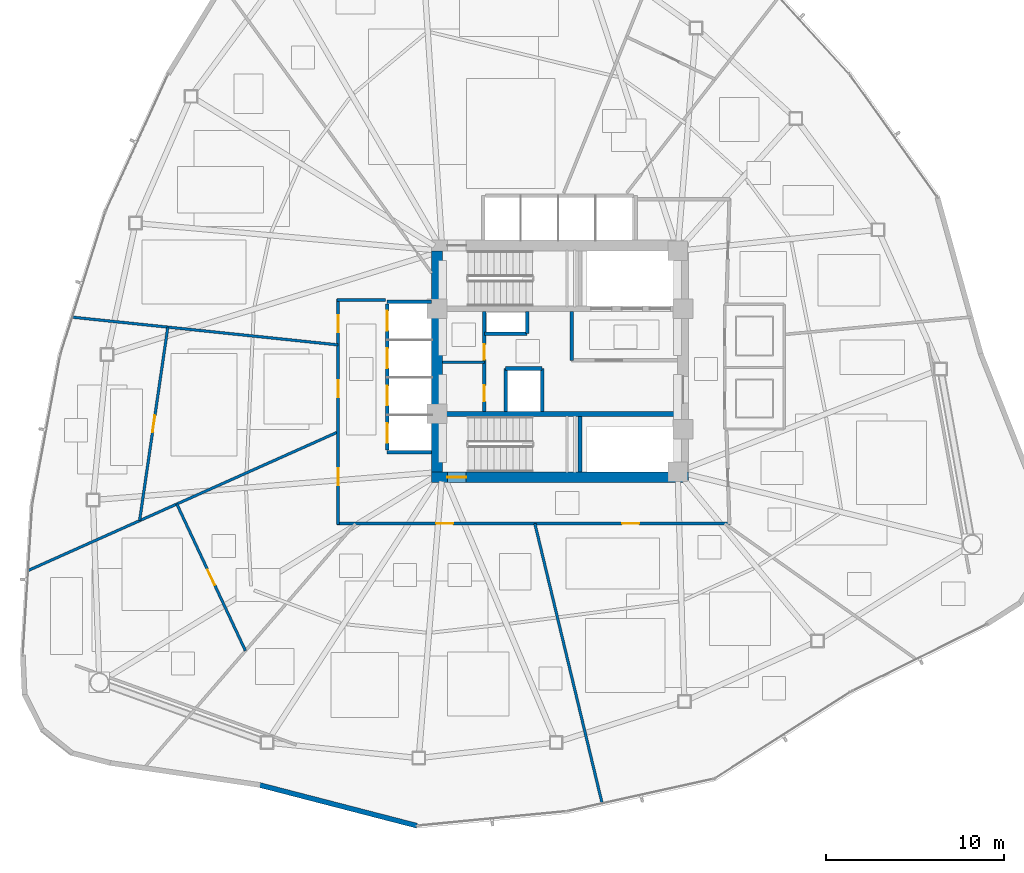
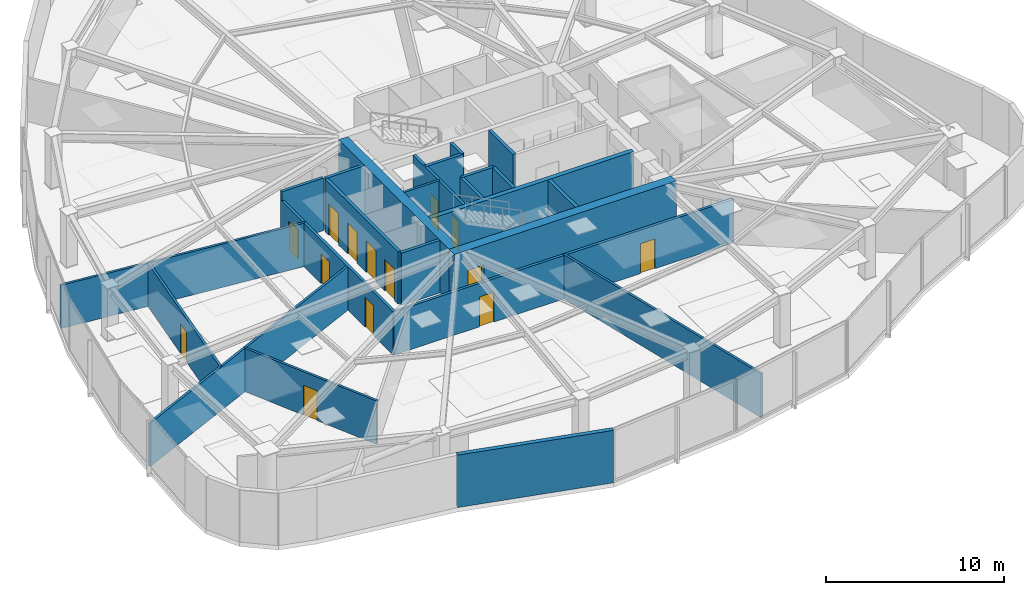
# One storey, part 12 of 18: 24 walls, 14 doors, 14 openings.
"""IFC4 building model written with IfcOpenShell, lengths in metres."""

from ifc_helpers import new_model, si_unit, direction, frame, frame_2d, origin, place, context, subcontext, project, spatial, rectangle, extrude, material, layer, layer_set, type_object, element, fill, save


model = new_model("IFC4")

# Units and contexts
model_context = context("Model", 3, precision=1e-05, world=origin(), true_north=direction((0.0, 1.0)))
body_context = subcontext(model_context, "Body", "Model", "MODEL_VIEW")
ifc_project = project(units=[si_unit("LENGTHUNIT", "METRE"), si_unit("AREAUNIT", "SQUARE_METRE"), si_unit("VOLUMEUNIT", "CUBIC_METRE"), si_unit("PLANEANGLEUNIT", "RADIAN"), si_unit("MASSUNIT", "GRAM", prefix="KILO")], contexts=[model_context])

# Site, building, storey
site_placement = place(None, origin())
site = spatial("IfcSite", under=ifc_project, at=site_placement, CompositionType="ELEMENT")
building_placement = place(site_placement, origin())
building = spatial("IfcBuilding", under=site, at=building_placement, Name="Tavelor Broadcast Tower", CompositionType="ELEMENT")
storey_placement = place(building_placement, frame((0.0, 0.0, 62.699951171875)))
storey = spatial("IfcBuildingStorey", under=building, at=storey_placement, Name="L14", CompositionType="ELEMENT", Elevation=62.699951171875)

# Wall, opening, door
ifc_material_1 = material(Name="Concrete C60/75", Category="concrete")
ifc_layer_1 = layer(ifc_material_1, 0.60009765625)
ifc_layer_set_1 = layer_set([ifc_layer_1], Name="Concrete C60/75")
wall_type_1 = type_object("IfcWallType", Name="Core Shear Wall 600 mm", PredefinedType="SHEAR", material=ifc_layer_set_1)
wall_1_placement = place(storey_placement, frame((42.800048828125, 38.5, 0.0), z_axis=(0.0, 0.0, 1.0), x_axis=(1.0, 0.0, 0.0)))
wall_1 = element("IfcWall", 1, at=wall_1_placement, inside=storey, type_object=wall_type_1, Name="L14 Central Core Shear Wall S", PredefinedType="SHEAR", context=body_context, shape_type="SweptSolid", body=[
    extrude(rectangle(XDim=14.39990234375, YDim=0.60009765625, at=frame_2d((7.199951171875, 0.0))), origin(), (0.0, 0.0, 1.0), 3.60009765625),
])
opening_1_placement = place(wall_1_placement, frame((0.8798828125, 0.0, 0.0)))
opening_1 = element("IfcOpeningElement", 2, at=opening_1_placement, cuts=wall_1, Name="Opening DR11", PredefinedType="OPENING", context=body_context, shape_type="SweptSolid", body=[
    extrude(rectangle(XDim=1.050048828125, YDim=2.199951171875, at=frame_2d((0.52490234375, 1.10009765625))), frame((0.0, 0.31005859375, 0.0), z_axis=(0.0, -1.0, 0.0), x_axis=(1.0, 0.0, 0.0)), (0.0, 0.0, 1.0), 0.6201171875),
])
ifc_material_2 = material(Name="Steel S355", Category="steel")
door_type_1 = type_object("IfcDoorType", Name="Stair Core Fire Escape Door 1050x2200", OperationType="NOTDEFINED", PredefinedType="DOOR", material=ifc_material_2)
door_1_placement = place(opening_1_placement, origin())
door_1 = element("IfcDoor", 3, at=door_1_placement, inside=storey, type_object=door_type_1, Name="L14 Stair ST2 Protected Exit Door", OperationType="SINGLE_SWING_RIGHT", OverallHeight=2.199951171875, OverallWidth=1.050048828125, PredefinedType="DOOR", context=body_context, shape_type="SweptSolid", body=[
    extrude(rectangle(XDim=1.050048828125, YDim=2.199951171875, at=frame_2d((0.52490234375, 1.10009765625))), frame((0.0, 0.02490234375, 0.0), z_axis=(0.0, -1.0, 0.0), x_axis=(1.0, 0.0, 0.0)), (0.0, 0.0, 1.0), 0.050048828125),
])
fill(opening_1, door_1)

# Walls
wall_2_placement = place(storey_placement, frame((43.10009765625, 38.800048828125, 0.0), z_axis=(0.0, 0.0, 1.0), x_axis=(0.0, 1.0, 0.0)))
element("IfcWall", 4, at=wall_2_placement, inside=storey, type_object=wall_type_1, Name="L14 Central Core Shear Wall W", PredefinedType="SHEAR", context=body_context, shape_type="SweptSolid", body=[
    extrude(rectangle(XDim=12.39990234375, YDim=0.60009765625, at=frame_2d((6.199951171875, 0.0))), origin(), (0.0, 0.0, 1.0), 3.60009765625),
])
ifc_layer_2 = layer(ifc_material_1, 0.300048828125)
ifc_layer_set_2 = layer_set([ifc_layer_2], Name="Concrete C60/75")
wall_type_2 = type_object("IfcWallType", Name="Core Spine Shear Wall 300 mm C60", PredefinedType="SHEAR", material=ifc_layer_set_2)
wall_3_placement = place(storey_placement, frame((43.39990234375, 42.050048828125, 0.0), z_axis=(0.0, 0.0, 1.0), x_axis=(1.0, 0.0, 0.0)))
element("IfcWall", 5, at=wall_3_placement, inside=storey, type_object=wall_type_2, Name="L14 Central Core Shear Wall SP2", PredefinedType="SHEAR", context=body_context, shape_type="SweptSolid", body=[
    extrude(rectangle(XDim=13.2001953125, YDim=0.300048828125, at=frame_2d((6.60009765625, 0.0))), origin(), (0.0, 0.0, 1.0), 3.60009765625),
])

# Wall, openings, doors
ifc_material_3 = material(Name="Calcium Silicate Fire Board 180 mm", Category="gypsum")
ifc_layer_3 = layer(ifc_material_3, 0.179931640625)
ifc_layer_set_3 = layer_set([ifc_layer_3], Name="Calcium Silicate Fire Board 180 mm")
wall_type_3 = type_object("IfcWallType", Name="Fire-Rated Corridor Partition Wall 180 mm", PredefinedType="PARTITIONING", material=ifc_layer_set_3)
wall_4_placement = place(storey_placement, frame((45.75, 42.199951171875, 0.0), z_axis=(0.0, 0.0, 1.0), x_axis=(0.0, 1.0, 0.0)))
wall_4 = element("IfcWall", 6, at=wall_4_placement, inside=storey, type_object=wall_type_3, Name="L14 Core West Service East Wall", PredefinedType="PARTITIONING", context=body_context, shape_type="SweptSolid", body=[
    extrude(rectangle(XDim=5.60009765625, YDim=0.179931640625, at=frame_2d((2.800048828125, 0.0))), origin(), (0.0, 0.0, 1.0), 3.60009765625),
])
opening_2_placement = place(wall_4_placement, frame((0.550048828125, 0.0, 0.0)))
opening_2 = element("IfcOpeningElement", 7, at=opening_2_placement, cuts=wall_4, Name="Opening DR32", PredefinedType="OPENING", context=body_context, shape_type="SweptSolid", body=[
    extrude(rectangle(XDim=0.89990234375, YDim=2.050048828125, at=frame_2d((0.449951171875, 1.02490234375))), frame((0.0, 0.10009765625, 0.0), z_axis=(0.0, -1.0, 0.0), x_axis=(1.0, 0.0, 0.0)), (0.0, 0.0, 1.0), 0.199951171875),
])
opening_3_placement = place(wall_4_placement, frame((2.89990234375, 0.0, 0.0)))
opening_3 = element("IfcOpeningElement", 8, at=opening_3_placement, cuts=wall_4, Name="Opening DR36", PredefinedType="OPENING", context=body_context, shape_type="SweptSolid", body=[
    extrude(rectangle(XDim=0.85009765625, YDim=2.050048828125, at=frame_2d((0.425048828125, 1.02490234375))), frame((0.0, 0.10009765625, 0.0), z_axis=(0.0, -1.0, 0.0), x_axis=(1.0, 0.0, 0.0)), (0.0, 0.0, 1.0), 0.199951171875),
])
ifc_material_4 = material(Name="Timber Solid Core Hardwood", Category="wood")
door_type_2 = type_object("IfcDoorType", Name="Accessible Washroom Door 900x2050", OperationType="NOTDEFINED", PredefinedType="DOOR", material=ifc_material_4)
door_2_placement = place(opening_2_placement, origin())
door_2 = element("IfcDoor", 9, at=door_2_placement, inside=storey, type_object=door_type_2, Name="L14 Core Accessible WC Door", OperationType="SINGLE_SWING_LEFT", OverallHeight=2.050048828125, OverallWidth=0.89990234375, PredefinedType="DOOR", context=body_context, shape_type="SweptSolid", body=[
    extrude(rectangle(XDim=0.89990234375, YDim=2.050048828125, at=frame_2d((0.449951171875, 1.02490234375))), frame((0.0, 0.02490234375, 0.0), z_axis=(0.0, -1.0, 0.0), x_axis=(1.0, 0.0, 0.0)), (0.0, 0.0, 1.0), 0.050048828125),
])
fill(opening_2, door_2)
door_type_3 = type_object("IfcDoorType", Name="Service Room Fire Door 850x2050", OperationType="NOTDEFINED", PredefinedType="DOOR", material=ifc_material_2)
door_3_placement = place(opening_3_placement, origin())
door_3 = element("IfcDoor", 10, at=door_3_placement, inside=storey, type_object=door_type_3, Name="L14 Core Cleaner Store Door", OperationType="SINGLE_SWING_RIGHT", OverallHeight=2.050048828125, OverallWidth=0.85009765625, PredefinedType="DOOR", context=body_context, shape_type="SweptSolid", body=[
    extrude(rectangle(XDim=0.85009765625, YDim=2.050048828125, at=frame_2d((0.425048828125, 1.02490234375))), frame((0.0, 0.02490234375, 0.0), z_axis=(0.0, -1.0, 0.0), x_axis=(1.0, 0.0, 0.0)), (0.0, 0.0, 1.0), 0.050048828125),
])
fill(opening_3, door_3)

wall_5_placement = place(storey_placement, frame((59.550048828125, 35.89990234375, 0.0), z_axis=(0.0, 0.0, 1.0), x_axis=(-1.0, 0.0, 0.0)))
wall_5 = element("IfcWall", 11, at=wall_5_placement, inside=storey, type_object=wall_type_3, Name="L14 Corridor Compartment Wall 04", PredefinedType="PARTITIONING", context=body_context, shape_type="SweptSolid", body=[
    extrude(rectangle(XDim=22.050048828125, YDim=0.179931640625, at=frame_2d((11.02490234375, 0.0))), origin(), (0.0, 0.0, 1.0), 2.97509765625),
])
opening_4_placement = place(wall_5_placement, frame((5.110107421875, 0.0, 0.0)))
opening_4 = element("IfcOpeningElement", 12, at=opening_4_placement, cuts=wall_5, Name="Opening DR18", PredefinedType="OPENING", context=body_context, shape_type="SweptSolid", body=[
    extrude(rectangle(XDim=0.949951171875, YDim=2.050048828125, at=frame_2d((0.47509765625, 1.02490234375))), frame((0.0, 0.10009765625, 0.0), z_axis=(0.0, -1.0, 0.0), x_axis=(1.0, 0.0, 0.0)), (0.0, 0.0, 1.0), 0.199951171875),
])
opening_5_placement = place(wall_5_placement, frame((15.549560546875, 0.0, 0.0)))
opening_5 = element("IfcOpeningElement", 13, at=opening_5_placement, cuts=wall_5, Name="Opening DR18", PredefinedType="OPENING", context=body_context, shape_type="SweptSolid", body=[
    extrude(rectangle(XDim=0.949951171875, YDim=2.050048828125, at=frame_2d((0.47509765625, 1.02490234375))), frame((0.0, 0.10009765625, 0.0), z_axis=(0.0, -1.0, 0.0), x_axis=(1.0, 0.0, 0.0)), (0.0, 0.0, 1.0), 0.199951171875),
])
door_type_4 = type_object("IfcDoorType", Name="Corridor Rated Compartment Door 950x2050", OperationType="NOTDEFINED", PredefinedType="DOOR", material=ifc_material_4)
door_4_placement = place(opening_4_placement, origin())
door_4 = element("IfcDoor", 14, at=door_4_placement, inside=storey, type_object=door_type_4, Name="L14 Digital Publishing Workspace Door R8", OperationType="SINGLE_SWING_LEFT", OverallHeight=2.050048828125, OverallWidth=0.949951171875, PredefinedType="DOOR", context=body_context, shape_type="SweptSolid", body=[
    extrude(rectangle(XDim=0.949951171875, YDim=2.050048828125, at=frame_2d((0.47509765625, 1.02490234375))), frame((0.0, 0.02490234375, 0.0), z_axis=(0.0, -1.0, 0.0), x_axis=(1.0, 0.0, 0.0)), (0.0, 0.0, 1.0), 0.050048828125),
])
fill(opening_4, door_4)
door_5_placement = place(opening_5_placement, origin())
door_5 = element("IfcDoor", 15, at=door_5_placement, inside=storey, type_object=door_type_4, Name="L14 Wellness Quiet Room Door R0", OperationType="SINGLE_SWING_RIGHT", OverallHeight=2.050048828125, OverallWidth=0.949951171875, PredefinedType="DOOR", context=body_context, shape_type="SweptSolid", body=[
    extrude(rectangle(XDim=0.949951171875, YDim=2.050048828125, at=frame_2d((0.47509765625, 1.02490234375))), frame((0.0, 0.02490234375, 0.0), z_axis=(0.0, -1.0, 0.0), x_axis=(1.0, 0.0, 0.0)), (0.0, 0.0, 1.0), 0.050048828125),
])
fill(opening_5, door_5)

wall_6_placement = place(storey_placement, frame((37.550048828125, 35.85009765625, 0.0), z_axis=(0.0, 0.0, 1.0), x_axis=(0.0, 1.0, 0.0)))
wall_6 = element("IfcWall", 16, at=wall_6_placement, inside=storey, type_object=wall_type_3, Name="L14 Corridor Compartment Wall 05", PredefinedType="PARTITIONING", context=body_context, shape_type="SweptSolid", body=[
    extrude(rectangle(XDim=12.64990234375, YDim=0.179931640625, at=frame_2d((6.324951171875, 0.0))), origin(), (0.0, 0.0, 1.0), 2.97509765625),
])
opening_6_placement = place(wall_6_placement, frame((2.210693359375, 0.0, 0.0)))
opening_6 = element("IfcOpeningElement", 17, at=opening_6_placement, cuts=wall_6, Name="Opening DR18", PredefinedType="OPENING", context=body_context, shape_type="SweptSolid", body=[
    extrude(rectangle(XDim=0.949951171875, YDim=2.050048828125, at=frame_2d((0.47509765625, 1.02490234375))), frame((0.0, 0.10009765625, 0.0), z_axis=(0.0, -1.0, 0.0), x_axis=(1.0, 0.0, 0.0)), (0.0, 0.0, 1.0), 0.199951171875),
])
opening_7_placement = place(wall_6_placement, frame((7.143310546875, 0.0, 0.0)))
opening_7 = element("IfcOpeningElement", 18, at=opening_7_placement, cuts=wall_6, Name="Opening DR18", PredefinedType="OPENING", context=body_context, shape_type="SweptSolid", body=[
    extrude(rectangle(XDim=0.949951171875, YDim=2.050048828125, at=frame_2d((0.47509765625, 1.02490234375))), frame((0.0, 0.10009765625, 0.0), z_axis=(0.0, -1.0, 0.0), x_axis=(1.0, 0.0, 0.0)), (0.0, 0.0, 1.0), 0.199951171875),
])
opening_8_placement = place(wall_6_placement, frame((10.7744140625, 0.0, 0.0)))
opening_8 = element("IfcOpeningElement", 19, at=opening_8_placement, cuts=wall_6, Name="Opening DR18", PredefinedType="OPENING", context=body_context, shape_type="SweptSolid", body=[
    extrude(rectangle(XDim=0.949951171875, YDim=2.050048828125, at=frame_2d((0.47509765625, 1.02490234375))), frame((0.0, 0.10009765625, 0.0), z_axis=(0.0, -1.0, 0.0), x_axis=(1.0, 0.0, 0.0)), (0.0, 0.0, 1.0), 0.199951171875),
])
door_6_placement = place(opening_6_placement, origin())
door_6 = element("IfcDoor", 20, at=door_6_placement, inside=storey, type_object=door_type_4, Name="L14 Press Concierge Desk Door R10", OperationType="SINGLE_SWING_LEFT", OverallHeight=2.050048828125, OverallWidth=0.949951171875, PredefinedType="DOOR", context=body_context, shape_type="SweptSolid", body=[
    extrude(rectangle(XDim=0.949951171875, YDim=2.050048828125, at=frame_2d((0.47509765625, 1.02490234375))), frame((0.0, 0.02490234375, 0.0), z_axis=(0.0, -1.0, 0.0), x_axis=(1.0, 0.0, 0.0)), (0.0, 0.0, 1.0), 0.050048828125),
])
fill(opening_6, door_6)
door_7_placement = place(opening_7_placement, origin())
door_7 = element("IfcDoor", 21, at=door_7_placement, inside=storey, type_object=door_type_4, Name="L14 Executive Reading Study Door R11", OperationType="SINGLE_SWING_RIGHT", OverallHeight=2.050048828125, OverallWidth=0.949951171875, PredefinedType="DOOR", context=body_context, shape_type="SweptSolid", body=[
    extrude(rectangle(XDim=0.949951171875, YDim=2.050048828125, at=frame_2d((0.47509765625, 1.02490234375))), frame((0.0, 0.02490234375, 0.0), z_axis=(0.0, -1.0, 0.0), x_axis=(1.0, 0.0, 0.0)), (0.0, 0.0, 1.0), 0.050048828125),
])
fill(opening_7, door_7)
door_8_placement = place(opening_8_placement, origin())
door_8 = element("IfcDoor", 22, at=door_8_placement, inside=storey, type_object=door_type_4, Name="L14 Music Mixing Workshop Door R3", OperationType="SINGLE_SWING_LEFT", OverallHeight=2.050048828125, OverallWidth=0.949951171875, PredefinedType="DOOR", context=body_context, shape_type="SweptSolid", body=[
    extrude(rectangle(XDim=0.949951171875, YDim=2.050048828125, at=frame_2d((0.47509765625, 1.02490234375))), frame((0.0, 0.02490234375, 0.0), z_axis=(0.0, -1.0, 0.0), x_axis=(1.0, 0.0, 0.0)), (0.0, 0.0, 1.0), 0.050048828125),
])
fill(opening_8, door_8)

# Walls
wall_7_placement = place(storey_placement, frame((37.5, 48.449951171875, 0.0), z_axis=(0.0, 0.0, 1.0), x_axis=(1.0, 0.0, 0.0)))
element("IfcWall", 23, at=wall_7_placement, inside=storey, type_object=wall_type_3, Name="L14 Corridor Compartment Wall 06", PredefinedType="PARTITIONING", context=body_context, shape_type="SweptSolid", body=[
    extrude(rectangle(XDim=2.699951171875, YDim=0.179931640625, at=frame_2d((1.35009765625, 0.0))), origin(), (0.0, 0.0, 1.0), 3.60009765625),
])
ifc_material_5 = material(Name="Precast Concrete C40/50", Category="concrete")
ifc_layer_4 = layer(ifc_material_5, 0.280029296875)
ifc_layer_set_4 = layer_set([ifc_layer_4], Name="Precast Concrete C40/50")
wall_type_4 = type_object("IfcWallType", Name="Insulated Precast Terracotta Facade Wall 280 mm", PredefinedType="STANDARD", material=ifc_layer_set_4)
wall_8_placement = place(storey_placement, frame((33.147216796875, 21.230712890625, 0.0), z_axis=(0.0, 0.0, 1.0), x_axis=(0.968060465232, -0.250716843579, 0.0)))
element("IfcWall", 24, at=wall_8_placement, inside=storey, type_object=wall_type_4, Name="L14 Rounded Corner Structural Cladding Pier 16", PredefinedType="STANDARD", context=body_context, shape_type="SweptSolid", body=[
    extrude(rectangle(XDim=9.118408203125, YDim=0.280029296875, at=frame_2d((4.55908203125, 0.0))), origin(), (0.0, 0.0, 1.0), 3.60009765625),
])
ifc_material_6 = material(Name="Gypsum Acoustic Plasterboard 150 mm", Category="gypsum")
ifc_layer_5 = layer(ifc_material_6, 0.14990234375)
ifc_layer_set_5 = layer_set([ifc_layer_5], Name="Gypsum Acoustic Plasterboard 150 mm")
wall_type_5 = type_object("IfcWallType", Name="Interior Acoustic Partition Wall 150 mm", PredefinedType="PARTITIONING", material=ifc_layer_set_5)
wall_9_placement = place(storey_placement, frame((43.39990234375, 44.949951171875, 0.0), z_axis=(0.0, 0.0, 1.0), x_axis=(1.0, 0.0, 0.0)))
element("IfcWall", 25, at=wall_9_placement, inside=storey, type_object=wall_type_5, Name="L14 Core Split Wall A", PredefinedType="PARTITIONING", context=body_context, shape_type="SweptSolid", body=[
    extrude(rectangle(XDim=2.35009765625, YDim=0.14990234375, at=frame_2d((1.175048828125, 0.0))), origin(), (0.0, 0.0, 1.0), 3.60009765625),
])
wall_10_placement = place(storey_placement, frame((37.550048828125, 45.923095703125, 0.0), z_axis=(0.0, 0.0, 1.0), x_axis=(-0.994605270282, 0.10373213739, 0.0)))
element("IfcWall", 26, at=wall_10_placement, inside=storey, type_object=wall_type_5, Name="L14 Radial Compartment Wall 02", PredefinedType="PARTITIONING", context=body_context, shape_type="SweptSolid", body=[
    extrude(rectangle(XDim=15.0087890625, YDim=0.14990234375, at=frame_2d((7.50439453125, 0.0))), origin(), (0.0, 0.0, 1.0), 2.97509765625),
])
wall_11_placement = place(storey_placement, frame((37.550048828125, 41.0419921875, 0.0), z_axis=(0.0, 0.0, 1.0), x_axis=(-0.912860583098, -0.408271424211, 0.0)))
element("IfcWall", 27, at=wall_11_placement, inside=storey, type_object=wall_type_5, Name="L14 Radial Compartment Wall 03", PredefinedType="PARTITIONING", context=body_context, shape_type="SweptSolid", body=[
    extrude(rectangle(XDim=19.063720703125, YDim=0.14990234375, at=frame_2d((9.53173828125, 0.0))), origin(), (0.0, 0.0, 1.0), 2.97509765625),
])
wall_12_placement = place(storey_placement, frame((48.587646484375, 35.89990234375, 0.0), z_axis=(0.0, 0.0, 1.0), x_axis=(0.233735732541, -0.972300163187, 0.0)))
element("IfcWall", 28, at=wall_12_placement, inside=storey, type_object=wall_type_5, Name="L14 Radial Compartment Wall 05", PredefinedType="PARTITIONING", context=body_context, shape_type="SweptSolid", body=[
    extrude(rectangle(XDim=16.161865234375, YDim=0.14990234375, at=frame_2d((8.0810546875, 0.0))), origin(), (0.0, 0.0, 1.0), 3.025146484375),
])

# Wall, opening, door
wall_13_placement = place(storey_placement, frame((27.996337890625, 46.91943359375, 0.0), z_axis=(0.0, 0.0, 1.0), x_axis=(-0.144345470149, -0.989527354472, 0.0)))
wall_13 = element("IfcWall", 29, at=wall_13_placement, inside=storey, type_object=wall_type_5, Name="L14 Suite Chord Partition Wall 02", PredefinedType="PARTITIONING", context=body_context, shape_type="SweptSolid", body=[
    extrude(rectangle(XDim=10.9736328125, YDim=0.14990234375, at=frame_2d((5.48681640625, 0.0))), origin(), (0.0, 0.0, 1.0), 2.97509765625),
])
opening_9_placement = place(wall_13_placement, frame((5.01171875, 0.0, 0.0)))
opening_9 = element("IfcOpeningElement", 30, at=opening_9_placement, cuts=wall_13, Name="Opening DR23", PredefinedType="OPENING", context=body_context, shape_type="SweptSolid", body=[
    extrude(rectangle(XDim=0.949951171875, YDim=2.050048828125, at=frame_2d((0.47509765625, 1.02490234375))), frame((0.0, 0.0849609375, 0.0), z_axis=(0.0, -1.0, 0.0), x_axis=(1.0, 0.0, 0.0)), (0.0, 0.0, 1.0), 0.169921875),
])
door_type_5 = type_object("IfcDoorType", Name="Editorial Room Acoustic Door 950x2050", OperationType="NOTDEFINED", PredefinedType="DOOR", material=ifc_material_4)
door_9_placement = place(opening_9_placement, origin())
door_9 = element("IfcDoor", 31, at=door_9_placement, inside=storey, type_object=door_type_5, Name="L14 Outer Suite Partition Door 2", OperationType="SINGLE_SWING_LEFT", OverallHeight=2.050048828125, OverallWidth=0.949951171875, PredefinedType="DOOR", context=body_context, shape_type="SweptSolid", body=[
    extrude(rectangle(XDim=0.949951171875, YDim=2.050048828125, at=frame_2d((0.47509765625, 1.02490234375))), frame((0.0, 0.02490234375, 0.0), z_axis=(0.0, -1.0, 0.0), x_axis=(1.0, 0.0, 0.0)), (0.0, 0.0, 1.0), 0.050048828125),
])
fill(opening_9, door_9)

wall_14_placement = place(storey_placement, frame((28.500732421875, 36.99462890625, 0.0), z_axis=(0.0, 0.0, 1.0), x_axis=(0.423698619108, -0.905803223756, 0.0)))
wall_14 = element("IfcWall", 32, at=wall_14_placement, inside=storey, type_object=wall_type_5, Name="L14 Suite Chord Partition Wall 03", PredefinedType="PARTITIONING", context=body_context, shape_type="SweptSolid", body=[
    extrude(rectangle(XDim=9.08740234375, YDim=0.14990234375, at=frame_2d((4.543701171875, 0.0))), origin(), (0.0, 0.0, 1.0), 2.97509765625),
])
opening_10_placement = place(wall_14_placement, frame((4.068603515625, 0.0, 0.0)))
opening_10 = element("IfcOpeningElement", 33, at=opening_10_placement, cuts=wall_14, Name="Opening DR23", PredefinedType="OPENING", context=body_context, shape_type="SweptSolid", body=[
    extrude(rectangle(XDim=0.949951171875, YDim=2.050048828125, at=frame_2d((0.47509765625, 1.02490234375))), frame((0.0, 0.0849609375, 0.0), z_axis=(0.0, -1.0, 0.0), x_axis=(1.0, 0.0, 0.0)), (0.0, 0.0, 1.0), 0.169921875),
])
door_10_placement = place(opening_10_placement, origin())
door_10 = element("IfcDoor", 34, at=door_10_placement, inside=storey, type_object=door_type_5, Name="L14 Outer Suite Partition Door 3", OperationType="SINGLE_SWING_RIGHT", OverallHeight=2.050048828125, OverallWidth=0.949951171875, PredefinedType="DOOR", context=body_context, shape_type="SweptSolid", body=[
    extrude(rectangle(XDim=0.949951171875, YDim=2.050048828125, at=frame_2d((0.47509765625, 1.02490234375))), frame((0.0, 0.02490234375, 0.0), z_axis=(0.0, -1.0, 0.0), x_axis=(1.0, 0.0, 0.0)), (0.0, 0.0, 1.0), 0.050048828125),
])
fill(opening_10, door_10)

# Wall, openings, doors
ifc_material_7 = material(Name="Concrete Blockwork 200 mm", Category="masonry")
ifc_layer_6 = layer(ifc_material_7, 0.199951171875)
ifc_layer_set_6 = layer_set([ifc_layer_6], Name="Concrete Blockwork 200 mm")
wall_type_6 = type_object("IfcWallType", Name="Lift Hoistway Rated Front Wall 200 mm", PredefinedType="PARTITIONING", material=ifc_layer_set_6)
wall_15_placement = place(storey_placement, frame((40.300048828125, 40.02001953125, 0.0), z_axis=(0.0, 0.0, 1.0), x_axis=(0.0, 1.0, 0.0)))
wall_15 = element("IfcWall", 35, at=wall_15_placement, inside=storey, type_object=wall_type_6, Name="L14 Low-Rise Lift Hoistway Front Wall", PredefinedType="PARTITIONING", context=body_context, shape_type="SweptSolid", body=[
    extrude(rectangle(XDim=8.2099609375, YDim=0.199951171875, at=frame_2d((4.10498046875, 0.0))), origin(), (0.0, 0.0, 1.0), 3.60009765625),
])
opening_11_placement = place(wall_15_placement, frame((0.405029296875, 0.0, 0.0)))
opening_11 = element("IfcOpeningElement", 36, at=opening_11_placement, cuts=wall_15, Name="Opening LD01", PredefinedType="OPENING", context=body_context, shape_type="SweptSolid", body=[
    extrude(rectangle(XDim=1.10009765625, YDim=2.14990234375, at=frame_2d((0.550048828125, 1.074951171875))), frame((0.0, 0.10986328125, 0.0), z_axis=(0.0, -1.0, 0.0), x_axis=(1.0, 0.0, 0.0)), (0.0, 0.0, 1.0), 0.219970703125),
])
opening_12_placement = place(wall_15_placement, frame((2.5048828125, 0.0, 0.0)))
opening_12 = element("IfcOpeningElement", 37, at=opening_12_placement, cuts=wall_15, Name="Opening LD01", PredefinedType="OPENING", context=body_context, shape_type="SweptSolid", body=[
    extrude(rectangle(XDim=1.10009765625, YDim=2.14990234375, at=frame_2d((0.550048828125, 1.074951171875))), frame((0.0, 0.10986328125, 0.0), z_axis=(0.0, -1.0, 0.0), x_axis=(1.0, 0.0, 0.0)), (0.0, 0.0, 1.0), 0.219970703125),
])
opening_13_placement = place(wall_15_placement, frame((4.60498046875, 0.0, 0.0)))
opening_13 = element("IfcOpeningElement", 38, at=opening_13_placement, cuts=wall_15, Name="Opening LD01", PredefinedType="OPENING", context=body_context, shape_type="SweptSolid", body=[
    extrude(rectangle(XDim=1.10009765625, YDim=2.14990234375, at=frame_2d((0.550048828125, 1.074951171875))), frame((0.0, 0.10986328125, 0.0), z_axis=(0.0, -1.0, 0.0), x_axis=(1.0, 0.0, 0.0)), (0.0, 0.0, 1.0), 0.219970703125),
])
opening_14_placement = place(wall_15_placement, frame((6.705078125, 0.0, 0.0)))
opening_14 = element("IfcOpeningElement", 39, at=opening_14_placement, cuts=wall_15, Name="Opening LD01", PredefinedType="OPENING", context=body_context, shape_type="SweptSolid", body=[
    extrude(rectangle(XDim=1.10009765625, YDim=2.14990234375, at=frame_2d((0.550048828125, 1.074951171875))), frame((0.0, 0.10986328125, 0.0), z_axis=(0.0, -1.0, 0.0), x_axis=(1.0, 0.0, 0.0)), (0.0, 0.0, 1.0), 0.219970703125),
])
ifc_material_8 = material(Name="Brushed Stainless Steel", Category="steel")
door_type_6 = type_object("IfcDoorType", Name="Passenger Lift Sliding Landing Door 1100x2150", OperationType="NOTDEFINED", PredefinedType="DOOR", material=ifc_material_8)
door_11_placement = place(opening_11_placement, origin())
door_11 = element("IfcDoor", 40, at=door_11_placement, inside=storey, type_object=door_type_6, Name="L14 Lift PLL1 Sliding Landing Door", OperationType="SLIDING_TO_LEFT", OverallHeight=2.14990234375, OverallWidth=1.10009765625, PredefinedType="DOOR", context=body_context, shape_type="SweptSolid", body=[
    extrude(rectangle(XDim=1.10009765625, YDim=2.14990234375, at=frame_2d((0.550048828125, 1.074951171875))), frame((0.0, 0.02490234375, 0.0), z_axis=(0.0, -1.0, 0.0), x_axis=(1.0, 0.0, 0.0)), (0.0, 0.0, 1.0), 0.050048828125),
])
fill(opening_11, door_11)
door_12_placement = place(opening_12_placement, origin())
door_12 = element("IfcDoor", 41, at=door_12_placement, inside=storey, type_object=door_type_6, Name="L14 Lift PLL2 Sliding Landing Door", OperationType="SLIDING_TO_RIGHT", OverallHeight=2.14990234375, OverallWidth=1.10009765625, PredefinedType="DOOR", context=body_context, shape_type="SweptSolid", body=[
    extrude(rectangle(XDim=1.10009765625, YDim=2.14990234375, at=frame_2d((0.550048828125, 1.074951171875))), frame((0.0, 0.02490234375, 0.0), z_axis=(0.0, -1.0, 0.0), x_axis=(1.0, 0.0, 0.0)), (0.0, 0.0, 1.0), 0.050048828125),
])
fill(opening_12, door_12)
door_13_placement = place(opening_13_placement, origin())
door_13 = element("IfcDoor", 42, at=door_13_placement, inside=storey, type_object=door_type_6, Name="L14 Lift PLL3 Sliding Landing Door", OperationType="SLIDING_TO_LEFT", OverallHeight=2.14990234375, OverallWidth=1.10009765625, PredefinedType="DOOR", context=body_context, shape_type="SweptSolid", body=[
    extrude(rectangle(XDim=1.10009765625, YDim=2.14990234375, at=frame_2d((0.550048828125, 1.074951171875))), frame((0.0, 0.02490234375, 0.0), z_axis=(0.0, -1.0, 0.0), x_axis=(1.0, 0.0, 0.0)), (0.0, 0.0, 1.0), 0.050048828125),
])
fill(opening_13, door_13)
door_14_placement = place(opening_14_placement, origin())
door_14 = element("IfcDoor", 43, at=door_14_placement, inside=storey, type_object=door_type_6, Name="L14 Lift PLL4 Sliding Landing Door", OperationType="SLIDING_TO_RIGHT", OverallHeight=2.14990234375, OverallWidth=1.10009765625, PredefinedType="DOOR", context=body_context, shape_type="SweptSolid", body=[
    extrude(rectangle(XDim=1.10009765625, YDim=2.14990234375, at=frame_2d((0.550048828125, 1.074951171875))), frame((0.0, 0.02490234375, 0.0), z_axis=(0.0, -1.0, 0.0), x_axis=(1.0, 0.0, 0.0)), (0.0, 0.0, 1.0), 0.050048828125),
])
fill(opening_14, door_14)

# Walls
wall_16_placement = place(storey_placement, frame((49.0, 42.199951171875, 0.0), z_axis=(0.0, 0.0, 1.0), x_axis=(0.0, 1.0, 0.0)))
element("IfcWall", 44, at=wall_16_placement, inside=storey, type_object=wall_type_6, Name="L14 Mid-Rise Lift PLM4 Hoistway Front Wall", PredefinedType="PARTITIONING", context=body_context, shape_type="SweptSolid", body=[
    extrude(rectangle(XDim=2.400146484375, YDim=0.199951171875, at=frame_2d((1.2001953125, 0.0))), origin(), (0.0, 0.0, 1.0), 3.60009765625),
])
ifc_layer_7 = layer(ifc_material_7, 0.199951171875)
ifc_layer_set_7 = layer_set([ifc_layer_7], Name="Concrete Blockwork 200 mm")
wall_type_7 = type_object("IfcWallType", Name="Lift and Riser Shaft Enclosure Wall 200 mm", PredefinedType="PARTITIONING", material=ifc_layer_set_7)
for number, where, z_axis, x_axis, name in (
    (45, (40.300048828125, 39.89990234375, 0.0), (0.0, 0.0, 1.0), (1.0, 0.0, 0.0), "L14 Low-Rise Lift Shaft South Wall"),
    (46, (40.300048828125, 48.35009765625, 0.0), (0.0, 0.0, 1.0), (1.0, 0.0, 0.0), "L14 Low-Rise Lift Shaft North Wall"),
):
    element("IfcWall", number, at=place(storey_placement, frame(where, z_axis=z_axis, x_axis=x_axis)), inside=storey, type_object=wall_type_7, Name=name, PredefinedType="PARTITIONING", context=body_context, shape_type="SweptSolid", body=[
        extrude(rectangle(XDim=2.5, YDim=0.199951171875, at=frame_2d((1.25, 0.0))), origin(), (0.0, 0.0, 1.0), 3.60009765625),
    ])
wall_17_placement = place(storey_placement, frame((45.75, 46.550048828125, 0.0), z_axis=(0.0, 0.0, 1.0), x_axis=(1.0, 0.0, 0.0)))
element("IfcWall", 47, at=wall_17_placement, inside=storey, type_object=wall_type_7, Name="L14 Riser Shaft South Wall", PredefinedType="PARTITIONING", context=body_context, shape_type="SweptSolid", body=[
    extrude(rectangle(XDim=2.39990234375, YDim=0.199951171875, at=frame_2d((1.199951171875, 0.0))), origin(), (0.0, 0.0, 1.0), 3.60009765625),
])
wall_18_placement = place(storey_placement, frame((48.14990234375, 46.550048828125, 0.0), z_axis=(0.0, 0.0, 1.0), x_axis=(0.0, 1.0, 0.0)))
element("IfcWall", 48, at=wall_18_placement, inside=storey, type_object=wall_type_7, Name="L14 Riser Shaft East Wall", PredefinedType="PARTITIONING", context=body_context, shape_type="SweptSolid", body=[
    extrude(rectangle(XDim=1.25, YDim=0.199951171875, at=frame_2d((0.625, 0.0))), origin(), (0.0, 0.0, 1.0), 3.60009765625),
])
wall_19_placement = place(storey_placement, frame((46.949951171875, 42.199951171875, 0.0), z_axis=(0.0, 0.0, 1.0), x_axis=(0.0, 1.0, 0.0)))
element("IfcWall", 49, at=wall_19_placement, inside=storey, type_object=wall_type_7, Name="L14 Mid-Rise Lift PLM4 West Wall", PredefinedType="PARTITIONING", context=body_context, shape_type="SweptSolid", body=[
    extrude(rectangle(XDim=2.400146484375, YDim=0.199951171875, at=frame_2d((1.2001953125, 0.0))), origin(), (0.0, 0.0, 1.0), 3.60009765625),
])
wall_20_placement = place(storey_placement, frame((46.949951171875, 44.60009765625, 0.0), z_axis=(0.0, 0.0, 1.0), x_axis=(1.0, 0.0, 0.0)))
element("IfcWall", 50, at=wall_20_placement, inside=storey, type_object=wall_type_7, Name="L14 Mid-Rise Lift PLM4 North Wall", PredefinedType="PARTITIONING", context=body_context, shape_type="SweptSolid", body=[
    extrude(rectangle(XDim=2.050048828125, YDim=0.199951171875, at=frame_2d((1.02490234375, 0.0))), origin(), (0.0, 0.0, 1.0), 3.60009765625),
])
wall_21_placement = place(storey_placement, frame((50.64990234375, 45.050048828125, 0.0), z_axis=(0.0, 0.0, 1.0), x_axis=(0.0, 1.0, 0.0)))
element("IfcWall", 51, at=wall_21_placement, inside=storey, type_object=wall_type_7, Name="L14 Firefighting Lobby West Wall", PredefinedType="PARTITIONING", context=body_context, shape_type="SweptSolid", body=[
    extrude(rectangle(XDim=2.75, YDim=0.199951171875, at=frame_2d((1.375, 0.0))), origin(), (0.0, 0.0, 1.0), 3.60009765625),
])
ifc_material_9 = material(Name="Concrete C40/50", Category="concrete")
ifc_layer_8 = layer(ifc_material_9, 0.219970703125)
ifc_layer_set_8 = layer_set([ifc_layer_8], Name="Concrete C40/50")
wall_type_8 = type_object("IfcWallType", Name="Structural Stairwell Shear Wall 220 mm", PredefinedType="SHEAR", material=ifc_layer_set_8)
wall_22_placement = place(storey_placement, frame((51.110107421875, 38.800048828125, 0.0), z_axis=(0.0, 0.0, 1.0), x_axis=(0.0, 1.0, 0.0)))
element("IfcWall", 52, at=wall_22_placement, inside=storey, type_object=wall_type_8, Name="L14 Stair ST2 Structural Shaft Wall", PredefinedType="SHEAR", context=body_context, shape_type="SweptSolid", body=[
    extrude(rectangle(XDim=3.099853515625, YDim=0.219970703125, at=frame_2d((1.5498046875, 0.0))), origin(), (0.0, 0.0, 1.0), 3.60009765625),
])

save(model, "model.ifc")
